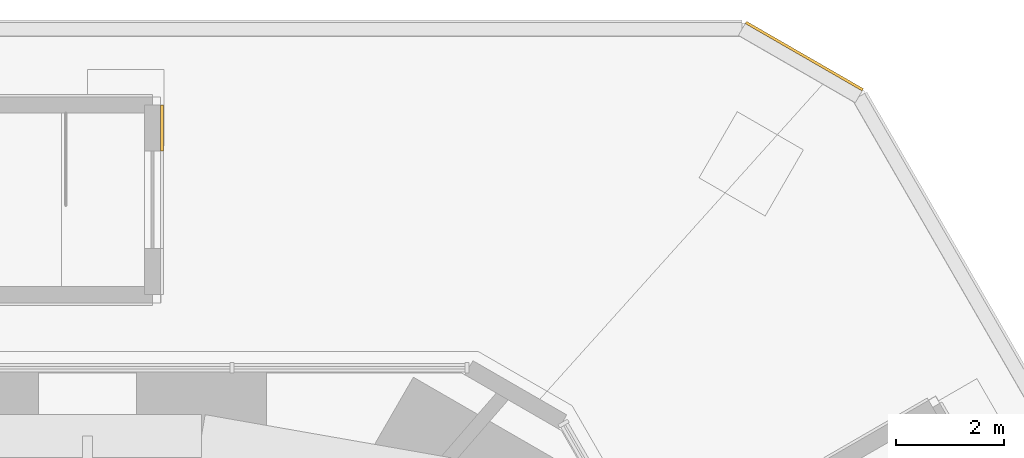
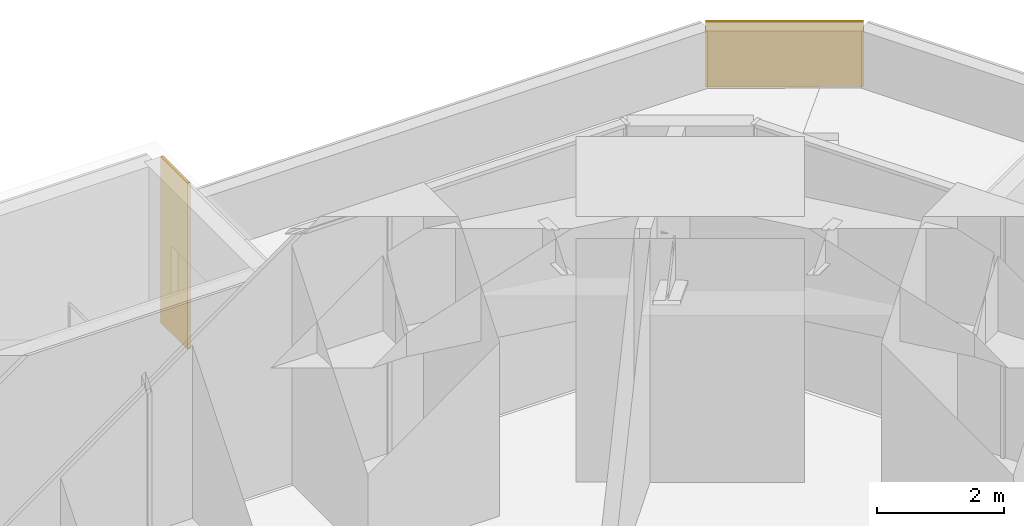
# One storey, part 20 of 20: 2 coverings.
"""IFC4 building model written with IfcOpenShell, lengths in metres."""

from ifc_helpers import new_model, si_unit, direction, frame, frame_2d, origin, place, context, subcontext, project, spatial, rectangle, extrude, material, layer, layer_set, type_object, element, save


model = new_model("IFC4")

# Units and contexts
model_context = context("Model", 3, precision=1e-05, world=origin(), true_north=direction((0.0, 1.0)))
body_context = subcontext(model_context, "Body", "Model", "MODEL_VIEW")
ifc_project = project(units=[si_unit("LENGTHUNIT", "METRE"), si_unit("AREAUNIT", "SQUARE_METRE"), si_unit("VOLUMEUNIT", "CUBIC_METRE"), si_unit("PLANEANGLEUNIT", "RADIAN"), si_unit("MASSUNIT", "GRAM", prefix="KILO")], contexts=[model_context])

# Site, building, storey
site_placement = place(None, origin())
site = spatial("IfcSite", under=ifc_project, at=site_placement, CompositionType="ELEMENT")
building_placement = place(site_placement, origin())
building = spatial("IfcBuilding", under=site, at=building_placement, Name="Sandreach Pilgrim Tower", CompositionType="ELEMENT")
storey_placement = place(building_placement, frame((0.0, 0.0, 18.0)))
storey = spatial("IfcBuildingStorey", under=building, at=storey_placement, Name="L03", CompositionType="ELEMENT", Elevation=18.0)

# Coverings
ifc_material = material(Name="Terracotta rainscreen panels on aluminium rails", Category="masonry")
ifc_layer = layer(ifc_material, 0.050048828125)
ifc_layer_set = layer_set([ifc_layer], Name="Terracotta rainscreen cladding 50")
covering_type = type_object("IfcCoveringType", Name="Terracotta rainscreen cladding 50", PredefinedType="CLADDING", material=ifc_layer_set)
covering_1_placement = place(storey_placement, frame((26.944580078125, 29.080810546875, -0.14990234375), z_axis=(0.0, 0.0, 1.0), x_axis=(-0.866373182582, 0.499397145068, 0.0)))
element("IfcCovering", 1, at=covering_1_placement, inside=storey, type_object=covering_type, Name="Rainscreen cladding on setback parapet l03 11", PredefinedType="CLADDING", context=body_context, shape_type="SweptSolid", body=[
    extrude(rectangle(XDim=2.49072265625, YDim=0.050048828125, at=frame_2d((1.245361328125, 0.0))), origin(), (0.0, 0.0, 1.0), 1.25),
])
covering_2_placement = place(storey_placement, frame((14.004638671875, 28.798828125, 0.0), z_axis=(0.0, 0.0, 1.0), x_axis=(0.0, -1.0, 0.0)))
element("IfcCovering", 2, at=covering_2_placement, inside=storey, type_object=covering_type, Name="Rainscreen cladding on stair ST7 head-house door wall, left of the door", PredefinedType="CLADDING", context=body_context, shape_type="SweptSolid", body=[
    extrude(rectangle(XDim=0.85009765625, YDim=0.050048828125, at=frame_2d((0.425048828125, 0.0))), origin(), (0.0, 0.0, 1.0), 3.199951171875),
])

save(model, "model.ifc")
